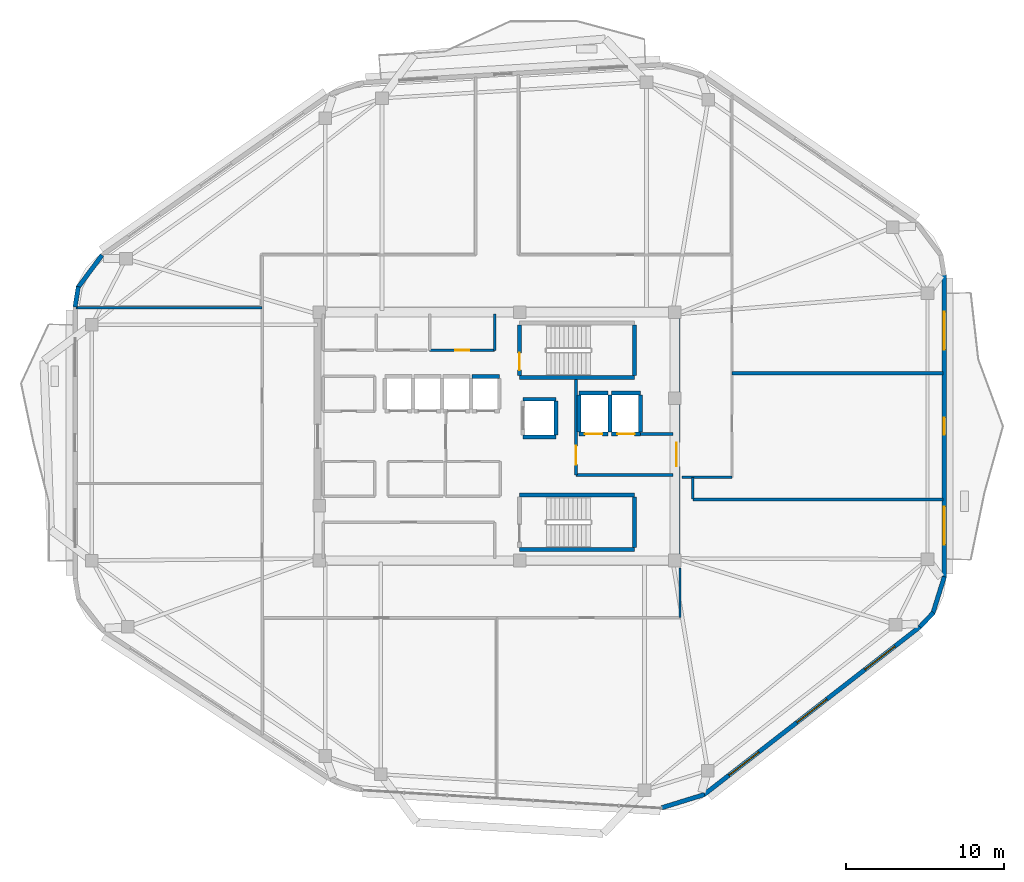
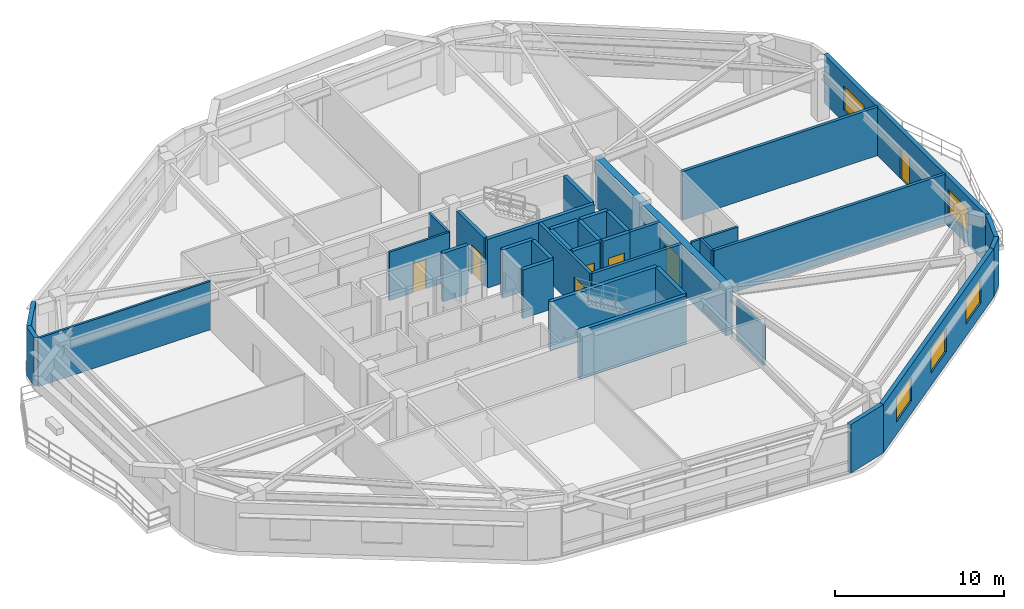
# One storey, part 8 of 12: 36 walls, 7 doors, 5 windows, 12 openings.
"""IFC4 building model written with IfcOpenShell, lengths in metres."""

from ifc_helpers import new_model, si_unit, direction, frame, frame_2d, origin, place, context, subcontext, project, spatial, rectangle, extrude, material, layer, layer_set, type_object, element, fill, save


model = new_model("IFC4")

# Units and contexts
model_context = context("Model", 3, precision=1e-05, world=origin(), true_north=direction((0.0, 1.0)))
body_context = subcontext(model_context, "Body", "Model", "MODEL_VIEW")
ifc_project = project(units=[si_unit("LENGTHUNIT", "METRE"), si_unit("AREAUNIT", "SQUARE_METRE"), si_unit("VOLUMEUNIT", "CUBIC_METRE"), si_unit("PLANEANGLEUNIT", "RADIAN"), si_unit("MASSUNIT", "GRAM", prefix="KILO")], contexts=[model_context])

# Site, building, storey
site_placement = place(None, origin())
site = spatial("IfcSite", under=ifc_project, at=site_placement, CompositionType="ELEMENT")
building_placement = place(site_placement, origin())
building = spatial("IfcBuilding", under=site, at=building_placement, Name="Zulverin Broadcast Headquarters", CompositionType="ELEMENT")
storey_placement = place(building_placement, frame((0.0, 0.0, 232.60009765625)))
storey = spatial("IfcBuildingStorey", under=building, at=storey_placement, Name="L59", CompositionType="ELEMENT", Elevation=232.60009765625)

# Walls
ifc_material_1 = material(Name="Acoustic drywall steel stud", Category="steel")
ifc_layer_1 = layer(ifc_material_1, 0.199951171875, Name="Acoustic drywall steel stud", Category="steel")
ifc_layer_set_1 = layer_set([ifc_layer_1], Name="Acoustic drywall steel stud")
wall_type_1 = type_object("IfcWallType", Name="WL-ACOU-200", PredefinedType="PARTITIONING", material=ifc_layer_set_1)
wall_1_placement = place(storey_placement, frame((49.43994140625, 21.199951171875, 0.0), z_axis=(0.0, 0.0, 1.0), x_axis=(1.0, 0.0, 0.0)))
element("IfcWall", 1, at=wall_1_placement, inside=storey, type_object=wall_type_1, Name="L59 Room Partition Wall RP-09", PredefinedType="PARTITIONING", context=body_context, shape_type="SweptSolid", body=[
    extrude(rectangle(XDim=15.85498046875, YDim=0.199951171875, at=frame_2d((7.927490234375, 0.0))), origin(), (0.0, 0.0, 1.0), 3.510009765625),
])
wall_2_placement = place(storey_placement, frame((51.89990234375, 29.199951171875, 0.0), z_axis=(0.0, 0.0, 1.0), x_axis=(1.0, 0.0, 0.0)))
element("IfcWall", 2, at=wall_2_placement, inside=storey, type_object=wall_type_1, Name="L59 Room Partition Wall RP-12", PredefinedType="PARTITIONING", context=body_context, shape_type="SweptSolid", body=[
    extrude(rectangle(XDim=13.39501953125, YDim=0.199951171875, at=frame_2d((6.697509765625, 0.0))), origin(), (0.0, 0.0, 1.0), 3.510009765625),
])

# Wall, opening, door
ifc_material_2 = material(Name="Concrete C50/60", Category="concrete")
ifc_layer_2 = layer(ifc_material_2, 0.449951171875, Name="Concrete C50/60", Category="concrete")
ifc_layer_set_2 = layer_set([ifc_layer_2], Name="Concrete C50/60")
wall_type_2 = type_object("IfcWallType", Name="WL-CORE-450", PredefinedType="SHEAR", material=ifc_layer_set_2)
wall_3_placement = place(storey_placement, frame((48.375, 17.449951171875, 0.0), z_axis=(0.0, 0.0, 1.0), x_axis=(0.0, 1.0, 0.0)))
wall_3 = element("IfcWall", 3, at=wall_3_placement, inside=storey, type_object=wall_type_2, Name="L59 Core East Shear Wall", PredefinedType="SHEAR", context=body_context, shape_type="SweptSolid", body=[
    extrude(rectangle(XDim=15.5, YDim=0.449951171875, at=frame_2d((7.75, 0.0))), origin(), (0.0, 0.0, 1.0), 3.510009765625),
])
opening_1_placement = place(wall_3_placement, frame((5.85009765625, 0.0, 0.0)))
opening_1 = element("IfcOpeningElement", 4, at=opening_1_placement, cuts=wall_3, Name="Opening D-L59-CE1", PredefinedType="OPENING", context=body_context, shape_type="SweptSolid", body=[
    extrude(rectangle(XDim=1.5, YDim=2.14990234375, at=frame_2d((0.75, 1.074951171875))), frame((0.0, 0.23486328125, 0.0), z_axis=(0.0, -1.0, 0.0), x_axis=(1.0, 0.0, 0.0)), (0.0, 0.0, 1.0), 0.469970703125),
])
ifc_material_3 = material(Name="Fire-rated glazed steel frame", Category="steel")
door_type_1 = type_object("IfcDoorType", Name="DR-COR-1500", OperationType="DOUBLE_DOOR_SINGLE_SWING", PredefinedType="DOOR", material=ifc_material_3)
door_1_placement = place(opening_1_placement, origin())
door_1 = element("IfcDoor", 5, at=door_1_placement, inside=storey, type_object=door_type_1, Name="L59 Firefighting Lobby East Corridor Door", OperationType="DOUBLE_DOOR_SINGLE_SWING", OverallHeight=2.14990234375, OverallWidth=1.5, PredefinedType="DOOR", context=body_context, shape_type="SweptSolid", body=[
    extrude(rectangle(XDim=1.5, YDim=2.14990234375, at=frame_2d((0.75, 1.074951171875))), frame((0.0, 0.02490234375, 0.0), z_axis=(0.0, -1.0, 0.0), x_axis=(1.0, 0.0, 0.0)), (0.0, 0.0, 1.0), 0.050048828125),
])
fill(opening_1, door_1)

# Wall, openings, windows
ifc_material_4 = material(Name="Insulated pale-metal clad concrete spandrel C40/50", Category="concrete")
ifc_layer_3 = layer(ifc_material_4, 0.280029296875, Name="Insulated pale-metal clad concrete spandrel C40/50", Category="concrete")
ifc_layer_set_3 = layer_set([ifc_layer_3], Name="Insulated pale-metal clad concrete spandrel C40/50")
wall_type_3 = type_object("IfcWallType", Name="WL-EXT-280", PredefinedType="STANDARD", material=ifc_layer_set_3)
wall_4_placement = place(storey_placement, frame((50.10400390625, 2.458984375, 0.0), z_axis=(0.0, 0.0, 1.0), x_axis=(0.789464857485, 0.613795763097, 0.0)))
wall_4 = element("IfcWall", 6, at=wall_4_placement, inside=storey, type_object=wall_type_3, Name="L59 Pale-Metal Clad Spandrel Wall 2", PredefinedType="STANDARD", context=body_context, shape_type="SweptSolid", body=[
    extrude(rectangle(XDim=17.387451171875, YDim=0.280029296875, at=frame_2d((8.69384765625, 0.0))), origin(), (0.0, 0.0, 1.0), 3.510009765625),
])
opening_2_placement = place(wall_4_placement, frame((2.03125, 0.0, 0.89990234375)))
opening_2 = element("IfcOpeningElement", 7, at=opening_2_placement, cuts=wall_4, Name="Opening W-L59-E21", PredefinedType="OPENING", context=body_context, shape_type="SweptSolid", body=[
    extrude(rectangle(XDim=2.39990234375, YDim=1.75, at=frame_2d((1.199951171875, 0.875))), frame((0.0, 0.14990234375, 0.0), z_axis=(0.0, -1.0, 0.0), x_axis=(1.0, 0.0, 0.0)), (0.0, 0.0, 1.0), 0.300048828125),
])
opening_3_placement = place(wall_4_placement, frame((7.49365234375, 0.0, 0.89990234375)))
opening_3 = element("IfcOpeningElement", 8, at=opening_3_placement, cuts=wall_4, Name="Opening W-L59-E22", PredefinedType="OPENING", context=body_context, shape_type="SweptSolid", body=[
    extrude(rectangle(XDim=2.39990234375, YDim=1.75, at=frame_2d((1.199951171875, 0.875))), frame((0.0, 0.14990234375, 0.0), z_axis=(0.0, -1.0, 0.0), x_axis=(1.0, 0.0, 0.0)), (0.0, 0.0, 1.0), 0.300048828125),
])
opening_4_placement = place(wall_4_placement, frame((12.956298828125, 0.0, 0.89990234375)))
opening_4 = element("IfcOpeningElement", 9, at=opening_4_placement, cuts=wall_4, Name="Opening W-L59-E23", PredefinedType="OPENING", context=body_context, shape_type="SweptSolid", body=[
    extrude(rectangle(XDim=2.39990234375, YDim=1.75, at=frame_2d((1.199951171875, 0.875))), frame((0.0, 0.14990234375, 0.0), z_axis=(0.0, -1.0, 0.0), x_axis=(1.0, 0.0, 0.0)), (0.0, 0.0, 1.0), 0.300048828125),
])
ifc_material_5 = material(Name="Pale anodized aluminium frame with solar-control low-E double glazing", Category="aluminium")
window_type = type_object("IfcWindowType", Name="WIN-RIB-2400", PartitioningType="SINGLE_PANEL", PredefinedType="WINDOW", material=ifc_material_5)
window_1_placement = place(opening_2_placement, origin())
window_1 = element("IfcWindow", 10, at=window_1_placement, inside=storey, type_object=window_type, Name="L59 Ribbon Glazing Window 2 1", OverallHeight=1.75, OverallWidth=2.39990234375, PartitioningType="SINGLE_PANEL", PredefinedType="WINDOW", context=body_context, shape_type="SweptSolid", body=[
    extrude(rectangle(XDim=2.39990234375, YDim=1.75, at=frame_2d((1.199951171875, 0.875))), frame((0.0, 0.030029296875, 0.0), z_axis=(0.0, -1.0, 0.0), x_axis=(1.0, 0.0, 0.0)), (0.0, 0.0, 1.0), 0.06005859375),
])
fill(opening_2, window_1)
window_2_placement = place(opening_3_placement, origin())
window_2 = element("IfcWindow", 11, at=window_2_placement, inside=storey, type_object=window_type, Name="L59 Ribbon Glazing Window 2 2", OverallHeight=1.75, OverallWidth=2.39990234375, PartitioningType="SINGLE_PANEL", PredefinedType="WINDOW", context=body_context, shape_type="SweptSolid", body=[
    extrude(rectangle(XDim=2.39990234375, YDim=1.75, at=frame_2d((1.199951171875, 0.875))), frame((0.0, 0.030029296875, 0.0), z_axis=(0.0, -1.0, 0.0), x_axis=(1.0, 0.0, 0.0)), (0.0, 0.0, 1.0), 0.06005859375),
])
fill(opening_3, window_2)
window_3_placement = place(opening_4_placement, origin())
window_3 = element("IfcWindow", 12, at=window_3_placement, inside=storey, type_object=window_type, Name="L59 Ribbon Glazing Window 2 3", OverallHeight=1.75, OverallWidth=2.39990234375, PartitioningType="SINGLE_PANEL", PredefinedType="WINDOW", context=body_context, shape_type="SweptSolid", body=[
    extrude(rectangle(XDim=2.39990234375, YDim=1.75, at=frame_2d((1.199951171875, 0.875))), frame((0.0, 0.030029296875, 0.0), z_axis=(0.0, -1.0, 0.0), x_axis=(1.0, 0.0, 0.0)), (0.0, 0.0, 1.0), 0.06005859375),
])
fill(opening_4, window_3)

# Wall, openings, door, windows
wall_5_placement = place(storey_placement, frame((65.360107421875, 16.2578125, 0.0), z_axis=(0.0, 0.0, 1.0), x_axis=(0.0, 1.0, 0.0)))
wall_5 = element("IfcWall", 13, at=wall_5_placement, inside=storey, type_object=wall_type_3, Name="L59 Pale-Metal Clad Spandrel Wall 3", PredefinedType="STANDARD", context=body_context, shape_type="SweptSolid", body=[
    extrude(rectangle(XDim=19.16796875, YDim=0.280029296875, at=frame_2d((9.583984375, 0.0))), origin(), (0.0, 0.0, 1.0), 3.510009765625),
])
opening_5_placement = place(wall_5_placement, frame((9.033935546875, 0.0, 0.0)))
opening_5 = element("IfcOpeningElement", 14, at=opening_5_placement, cuts=wall_5, Name="Opening D-L59-TR3", PredefinedType="OPENING", context=body_context, shape_type="SweptSolid", body=[
    extrude(rectangle(XDim=1.10009765625, YDim=2.199951171875, at=frame_2d((0.550048828125, 1.10009765625))), frame((0.0, 0.14990234375, 0.0), z_axis=(0.0, -1.0, 0.0), x_axis=(1.0, 0.0, 0.0)), (0.0, 0.0, 1.0), 0.300048828125),
])
opening_6_placement = place(wall_5_placement, frame((2.077880859375, 0.0, 0.89990234375)))
opening_6 = element("IfcOpeningElement", 15, at=opening_6_placement, cuts=wall_5, Name="Opening W-L59-E31", PredefinedType="OPENING", context=body_context, shape_type="SweptSolid", body=[
    extrude(rectangle(XDim=2.39990234375, YDim=1.75, at=frame_2d((1.199951171875, 0.875))), frame((0.0, 0.14990234375, 0.0), z_axis=(0.0, -1.0, 0.0), x_axis=(1.0, 0.0, 0.0)), (0.0, 0.0, 1.0), 0.300048828125),
])
opening_7_placement = place(wall_5_placement, frame((14.43994140625, 0.0, 0.89990234375)))
opening_7 = element("IfcOpeningElement", 16, at=opening_7_placement, cuts=wall_5, Name="Opening W-L59-E32", PredefinedType="OPENING", context=body_context, shape_type="SweptSolid", body=[
    extrude(rectangle(XDim=2.39990234375, YDim=1.75, at=frame_2d((1.199951171875, 0.875))), frame((0.0, 0.14990234375, 0.0), z_axis=(0.0, -1.0, 0.0), x_axis=(1.0, 0.0, 0.0)), (0.0, 0.0, 1.0), 0.300048828125),
])
ifc_material_6 = material(Name="Thermally broken aluminium glazed", Category="aluminium")
door_type_2 = type_object("IfcDoorType", Name="DR-TERR-1100", OperationType="SINGLE_SWING_RIGHT", PredefinedType="DOOR", material=ifc_material_6)
door_2_placement = place(opening_5_placement, origin())
door_2 = element("IfcDoor", 17, at=door_2_placement, inside=storey, type_object=door_type_2, Name="L59 Planted Terrace Glazed Access Door 3", OperationType="SINGLE_SWING_RIGHT", OverallHeight=2.199951171875, OverallWidth=1.10009765625, PredefinedType="DOOR", context=body_context, shape_type="SweptSolid", body=[
    extrude(rectangle(XDim=1.10009765625, YDim=2.199951171875, at=frame_2d((0.550048828125, 1.10009765625))), frame((0.0, 0.02490234375, 0.0), z_axis=(0.0, -1.0, 0.0), x_axis=(1.0, 0.0, 0.0)), (0.0, 0.0, 1.0), 0.050048828125),
])
fill(opening_5, door_2)
window_4_placement = place(opening_6_placement, origin())
window_4 = element("IfcWindow", 18, at=window_4_placement, inside=storey, type_object=window_type, Name="L59 Ribbon Glazing Window 3 1", OverallHeight=1.75, OverallWidth=2.39990234375, PartitioningType="SINGLE_PANEL", PredefinedType="WINDOW", context=body_context, shape_type="SweptSolid", body=[
    extrude(rectangle(XDim=2.39990234375, YDim=1.75, at=frame_2d((1.199951171875, 0.875))), frame((0.0, 0.030029296875, 0.0), z_axis=(0.0, -1.0, 0.0), x_axis=(1.0, 0.0, 0.0)), (0.0, 0.0, 1.0), 0.06005859375),
])
fill(opening_6, window_4)
window_5_placement = place(opening_7_placement, origin())
window_5 = element("IfcWindow", 19, at=window_5_placement, inside=storey, type_object=window_type, Name="L59 Ribbon Glazing Window 3 2", OverallHeight=1.75, OverallWidth=2.39990234375, PartitioningType="SINGLE_PANEL", PredefinedType="WINDOW", context=body_context, shape_type="SweptSolid", body=[
    extrude(rectangle(XDim=2.39990234375, YDim=1.75, at=frame_2d((1.199951171875, 0.875))), frame((0.0, 0.030029296875, 0.0), z_axis=(0.0, -1.0, 0.0), x_axis=(1.0, 0.0, 0.0)), (0.0, 0.0, 1.0), 0.06005859375),
])
fill(opening_7, window_5)

# Walls
wall_6_placement = place(storey_placement, frame((47.4482421875, 1.6455078125, 0.0), z_axis=(0.0, 0.0, 1.0), x_axis=(0.955196399159, 0.295972699812, 0.0)))
element("IfcWall", 20, at=wall_6_placement, inside=storey, type_object=wall_type_3, Name="L59 Wind-Shaped Corner Spandrel Wall 1-1", PredefinedType="STANDARD", context=body_context, shape_type="SweptSolid", body=[
    extrude(rectangle(XDim=2.826904296875, YDim=0.280029296875, at=frame_2d((1.41357421875, 0.0))), origin(), (0.0, 0.0, 1.0), 3.510009765625),
])
wall_7_placement = place(storey_placement, frame((63.81494140625, 13.1171875, 0.0), z_axis=(0.0, 0.0, 1.0), x_axis=(0.687733716128, 0.725963040176, 0.0)))
element("IfcWall", 21, at=wall_7_placement, inside=storey, type_object=wall_type_3, Name="L59 Wind-Shaped Corner Spandrel Wall 2-1", PredefinedType="STANDARD", context=body_context, shape_type="SweptSolid", body=[
    extrude(rectangle(XDim=1.239013671875, YDim=0.280029296875, at=frame_2d((0.61962890625, 0.0))), origin(), (0.0, 0.0, 1.0), 3.510009765625),
])
wall_8_placement = place(storey_placement, frame((64.635009765625, 13.962158203125, 0.0), z_axis=(0.0, 0.0, 1.0), x_axis=(0.298649578722, 0.954362839348, 0.0)))
element("IfcWall", 22, at=wall_8_placement, inside=storey, type_object=wall_type_3, Name="L59 Wind-Shaped Corner Spandrel Wall 2-2", PredefinedType="STANDARD", context=body_context, shape_type="SweptSolid", body=[
    extrude(rectangle(XDim=2.44921875, YDim=0.280029296875, at=frame_2d((1.224609375, 0.0))), origin(), (0.0, 0.0, 1.0), 3.510009765625),
])
wall_9_placement = place(storey_placement, frame((11.948486328125, 36.69189453125, 0.0), z_axis=(0.0, 0.0, 1.0), x_axis=(-0.595170751493, -0.803599263668, 0.0)))
element("IfcWall", 23, at=wall_9_placement, inside=storey, type_object=wall_type_3, Name="L59 Wind-Shaped Corner Spandrel Wall 6-1", PredefinedType="STANDARD", context=body_context, shape_type="SweptSolid", body=[
    extrude(rectangle(XDim=2.56982421875, YDim=0.280029296875, at=frame_2d((1.284912109375, 0.0))), origin(), (0.0, 0.0, 1.0), 3.510009765625),
])
wall_10_placement = place(storey_placement, frame((10.444580078125, 34.68798828125, 0.0), z_axis=(0.0, 0.0, 1.0), x_axis=(-0.158524605336, -0.987355027081, 0.0)))
element("IfcWall", 24, at=wall_10_placement, inside=storey, type_object=wall_type_3, Name="L59 Wind-Shaped Corner Spandrel Wall 6-2", PredefinedType="STANDARD", context=body_context, shape_type="SweptSolid", body=[
    extrude(rectangle(XDim=1.30126953125, YDim=0.280029296875, at=frame_2d((0.650634765625, 0.0))), origin(), (0.0, 0.0, 1.0), 3.510009765625),
])

# Wall, opening, door
ifc_material_7 = material(Name="Concrete C40/50", Category="concrete")
ifc_layer_4 = layer(ifc_material_7, 0.199951171875, Name="Concrete C40/50", Category="concrete")
ifc_layer_set_4 = layer_set([ifc_layer_4], Name="Concrete C40/50")
wall_type_4 = type_object("IfcWallType", Name="WL-FFL-200", PredefinedType="SOLIDWALL", material=ifc_layer_set_4)
wall_11_placement = place(storey_placement, frame((42.0, 22.75, 0.0), z_axis=(0.0, 0.0, 1.0), x_axis=(0.0, 1.0, 0.0)))
wall_11 = element("IfcWall", 25, at=wall_11_placement, inside=storey, type_object=wall_type_4, Name="L59 Firefighting Lift Lobby West Wall", PredefinedType="SOLIDWALL", context=body_context, shape_type="SweptSolid", body=[
    extrude(rectangle(XDim=6.050048828125, YDim=0.199951171875, at=frame_2d((3.02490234375, 0.0))), origin(), (0.0, 0.0, 1.0), 3.510009765625),
])
opening_8_placement = place(wall_11_placement, frame((0.64990234375, 0.0, 0.0)))
opening_8 = element("IfcOpeningElement", 26, at=opening_8_placement, cuts=wall_11, Name="Opening D-L59-FFLW", PredefinedType="OPENING", context=body_context, shape_type="SweptSolid", body=[
    extrude(rectangle(XDim=1.199951171875, YDim=2.14990234375, at=frame_2d((0.60009765625, 1.074951171875))), frame((0.0, 0.10986328125, 0.0), z_axis=(0.0, -1.0, 0.0), x_axis=(1.0, 0.0, 0.0)), (0.0, 0.0, 1.0), 0.219970703125),
])
ifc_material_8 = material(Name="Fire-rated steel leaf and frame", Category="steel")
door_type_3 = type_object("IfcDoorType", Name="DR-FFL-1200", OperationType="SINGLE_SWING_RIGHT", PredefinedType="DOOR", material=ifc_material_8)
door_3_placement = place(opening_8_placement, origin())
door_3 = element("IfcDoor", 27, at=door_3_placement, inside=storey, type_object=door_type_3, Name="L59 Firefighting Lift Lobby Door", OperationType="SINGLE_SWING_RIGHT", OverallHeight=2.14990234375, OverallWidth=1.199951171875, PredefinedType="DOOR", context=body_context, shape_type="SweptSolid", body=[
    extrude(rectangle(XDim=1.199951171875, YDim=2.14990234375, at=frame_2d((0.60009765625, 1.074951171875))), frame((0.0, 0.02490234375, 0.0), z_axis=(0.0, -1.0, 0.0), x_axis=(1.0, 0.0, 0.0)), (0.0, 0.0, 1.0), 0.050048828125),
])
fill(opening_8, door_3)

# Walls
wall_12_placement = place(storey_placement, frame((42.0, 22.75, 0.0), z_axis=(0.0, 0.0, 1.0), x_axis=(1.0, 0.0, 0.0)))
element("IfcWall", 28, at=wall_12_placement, inside=storey, type_object=wall_type_4, Name="L59 Firefighting Lift Lobby South Wall", PredefinedType="SOLIDWALL", context=body_context, shape_type="SweptSolid", body=[
    extrude(rectangle(XDim=6.14990234375, YDim=0.199951171875, at=frame_2d((3.074951171875, 0.0))), origin(), (0.0, 0.0, 1.0), 3.510009765625),
])
wall_13_placement = place(storey_placement, frame((46.10009765625, 25.35009765625, 0.0), z_axis=(0.0, 0.0, 1.0), x_axis=(1.0, 0.0, 0.0)))
element("IfcWall", 29, at=wall_13_placement, inside=storey, type_object=wall_type_4, Name="L59 Firefighting Lift Lobby North Wall", PredefinedType="SOLIDWALL", context=body_context, shape_type="SweptSolid", body=[
    extrude(rectangle(XDim=2.0498046875, YDim=0.199951171875, at=frame_2d((1.02490234375, 0.0))), origin(), (0.0, 0.0, 1.0), 3.510009765625),
])

# Wall, opening, door
ifc_material_9 = material(Name="Fire-rated gypsum stud partition", Category="gypsum")
ifc_layer_5 = layer(ifc_material_9, 0.14990234375, Name="Fire-rated gypsum stud partition", Category="gypsum")
ifc_layer_set_5 = layer_set([ifc_layer_5], Name="Fire-rated gypsum stud partition")
wall_type_5 = type_object("IfcWallType", Name="WL-PART-150", PredefinedType="PARTITIONING", material=ifc_layer_set_5)
wall_14_placement = place(storey_placement, frame((32.72998046875, 30.64990234375, 0.0), z_axis=(0.0, 0.0, 1.0), x_axis=(1.0, 0.0, 0.0)))
wall_14 = element("IfcWall", 30, at=wall_14_placement, inside=storey, type_object=wall_type_5, Name="L59 Core Electrical Switch Riser Front Wall", PredefinedType="PARTITIONING", context=body_context, shape_type="SweptSolid", body=[
    extrude(rectangle(XDim=4.1201171875, YDim=0.14990234375, at=frame_2d((2.06005859375, 0.0))), origin(), (0.0, 0.0, 1.0), 3.510009765625),
])
opening_9_placement = place(wall_14_placement, frame((1.610107421875, 0.0, 0.0)))
opening_9 = element("IfcOpeningElement", 31, at=opening_9_placement, cuts=wall_14, Name="Opening D-L59-NC3", PredefinedType="OPENING", context=body_context, shape_type="SweptSolid", body=[
    extrude(rectangle(XDim=0.89990234375, YDim=2.10009765625, at=frame_2d((0.449951171875, 1.050048828125))), frame((0.0, 0.0849609375, 0.0), z_axis=(0.0, -1.0, 0.0), x_axis=(1.0, 0.0, 0.0)), (0.0, 0.0, 1.0), 0.169921875),
])
ifc_material_10 = material(Name="Powder-coated steel access leaf", Category="steel")
door_type_4 = type_object("IfcDoorType", Name="DR-RISER-900", OperationType="SINGLE_SWING_LEFT", PredefinedType="DOOR", material=ifc_material_10)
door_4_placement = place(opening_9_placement, origin())
door_4 = element("IfcDoor", 32, at=door_4_placement, inside=storey, type_object=door_type_4, Name="L59 Electrical Switch Riser Door", OperationType="SINGLE_SWING_LEFT", OverallHeight=2.10009765625, OverallWidth=0.89990234375, PredefinedType="DOOR", context=body_context, shape_type="SweptSolid", body=[
    extrude(rectangle(XDim=0.89990234375, YDim=2.10009765625, at=frame_2d((0.449951171875, 1.050048828125))), frame((0.0, 0.02490234375, 0.0), z_axis=(0.0, -1.0, 0.0), x_axis=(1.0, 0.0, 0.0)), (0.0, 0.0, 1.0), 0.050048828125),
])
fill(opening_9, door_4)

# Walls
wall_15_placement = place(storey_placement, frame((36.85009765625, 30.64990234375, 0.0), z_axis=(0.0, 0.0, 1.0), x_axis=(0.0, 1.0, 0.0)))
element("IfcWall", 33, at=wall_15_placement, inside=storey, type_object=wall_type_5, Name="L59 Core Electrical Switch Riser East Wall", PredefinedType="PARTITIONING", context=body_context, shape_type="SweptSolid", body=[
    extrude(rectangle(XDim=2.300048828125, YDim=0.14990234375, at=frame_2d((1.14990234375, 0.0))), origin(), (0.0, 0.0, 1.0), 3.510009765625),
])
wall_16_placement = place(storey_placement, frame((49.39990234375, 21.239990234375, 0.0), z_axis=(0.0, 0.0, 1.0), x_axis=(0.0, 1.0, 0.0)))
element("IfcWall", 34, at=wall_16_placement, inside=storey, type_object=wall_type_5, Name="L59 Room Partition Wall RP-02", PredefinedType="PARTITIONING", context=body_context, shape_type="SweptSolid", body=[
    extrude(rectangle(XDim=1.359130859375, YDim=0.14990234375, at=frame_2d((0.6796875, 0.0))), origin(), (0.0, 0.0, 1.0), 3.510009765625),
])
wall_17_placement = place(storey_placement, frame((48.60009765625, 13.699951171875, 0.0), z_axis=(0.0, 0.0, 1.0), x_axis=(0.0, 1.0, 0.0)))
element("IfcWall", 35, at=wall_17_placement, inside=storey, type_object=wall_type_5, Name="L59 Gallery Partition Wall CG-03", PredefinedType="PARTITIONING", context=body_context, shape_type="SweptSolid", body=[
    extrude(rectangle(XDim=3.16015625, YDim=0.14990234375, at=frame_2d((1.580078125, 0.0))), origin(), (0.0, 0.0, 1.0), 2.892822265625),
])
wall_18_placement = place(storey_placement, frame((48.739990234375, 22.60009765625, 0.0), z_axis=(0.0, 0.0, 1.0), x_axis=(1.0, 0.0, 0.0)))
element("IfcWall", 36, at=wall_18_placement, inside=storey, type_object=wall_type_5, Name="L59 Gallery Partition Wall CG-11", PredefinedType="PARTITIONING", context=body_context, shape_type="SweptSolid", body=[
    extrude(rectangle(XDim=3.159912109375, YDim=0.14990234375, at=frame_2d((1.580078125, 0.0))), origin(), (0.0, 0.0, 1.0), 3.510009765625),
])
wall_19_placement = place(storey_placement, frame((10.304931640625, 33.35009765625, 0.0), z_axis=(0.0, 0.0, 1.0), x_axis=(1.0, 0.0, 0.0)))
element("IfcWall", 37, at=wall_19_placement, inside=storey, type_object=wall_type_5, Name="L59 Room Partition Wall RP-13", PredefinedType="PARTITIONING", context=body_context, shape_type="SweptSolid", body=[
    extrude(rectangle(XDim=11.795166015625, YDim=0.14990234375, at=frame_2d((5.8974609375, 0.0))), origin(), (0.0, 0.0, 1.0), 3.510009765625),
])
ifc_layer_6 = layer(ifc_material_2, 0.25, Name="Concrete C50/60", Category="concrete")
ifc_layer_set_6 = layer_set([ifc_layer_6], Name="Concrete C50/60")
wall_type_6 = type_object("IfcWallType", Name="WL-SHAFT-250", PredefinedType="SHEAR", material=ifc_layer_set_6)
wall_20_placement = place(storey_placement, frame((38.425048828125, 28.925048828125, 0.0), z_axis=(0.0, 0.0, 1.0), x_axis=(1.0, 0.0, 0.0)))
element("IfcWall", 38, at=wall_20_placement, inside=storey, type_object=wall_type_6, Name="L59 ST-1 Enclosure Wall S", PredefinedType="SHEAR", context=body_context, shape_type="SweptSolid", body=[
    extrude(rectangle(XDim=7.300048828125, YDim=0.25, at=frame_2d((3.64990234375, 0.0))), origin(), (0.0, 0.0, 1.0), 3.510009765625),
])

# Wall, opening, door
wall_21_placement = place(storey_placement, frame((38.425048828125, 29.050048828125, 0.0), z_axis=(0.0, 0.0, 1.0), x_axis=(0.0, 1.0, 0.0)))
wall_21 = element("IfcWall", 39, at=wall_21_placement, inside=storey, type_object=wall_type_6, Name="L59 ST-1 Enclosure Wall W", PredefinedType="SHEAR", context=body_context, shape_type="SweptSolid", body=[
    extrude(rectangle(XDim=3.199951171875, YDim=0.25, at=frame_2d((1.60009765625, 0.0))), origin(), (0.0, 0.0, 1.0), 3.510009765625),
])
opening_10_placement = place(wall_21_placement, frame((0.35009765625, 0.0, 0.0)))
opening_10 = element("IfcOpeningElement", 40, at=opening_10_placement, cuts=wall_21, Name="Opening D-L59-ST-1", PredefinedType="OPENING", context=body_context, shape_type="SweptSolid", body=[
    extrude(rectangle(XDim=1.10009765625, YDim=2.14990234375, at=frame_2d((0.550048828125, 1.074951171875))), frame((0.0, 0.135009765625, 0.0), z_axis=(0.0, -1.0, 0.0), x_axis=(1.0, 0.0, 0.0)), (0.0, 0.0, 1.0), 0.27001953125),
])
door_type_5 = type_object("IfcDoorType", Name="DR-STAIR-1100", OperationType="SINGLE_SWING_LEFT", PredefinedType="DOOR", material=ifc_material_8)
door_5_placement = place(opening_10_placement, origin())
door_5 = element("IfcDoor", 41, at=door_5_placement, inside=storey, type_object=door_type_5, Name="L59 Exit Stair ST-1 Fire Door", OperationType="SINGLE_SWING_LEFT", OverallHeight=2.14990234375, OverallWidth=1.10009765625, PredefinedType="DOOR", context=body_context, shape_type="SweptSolid", body=[
    extrude(rectangle(XDim=1.10009765625, YDim=2.14990234375, at=frame_2d((0.550048828125, 1.074951171875))), frame((0.0, 0.02490234375, 0.0), z_axis=(0.0, -1.0, 0.0), x_axis=(1.0, 0.0, 0.0)), (0.0, 0.0, 1.0), 0.050048828125),
])
fill(opening_10, door_5)

# Walls
wall_22_placement = place(storey_placement, frame((45.72509765625, 29.050048828125, 0.0), z_axis=(0.0, 0.0, 1.0), x_axis=(0.0, 1.0, 0.0)))
element("IfcWall", 42, at=wall_22_placement, inside=storey, type_object=wall_type_6, Name="L59 ST-1 Enclosure Wall E", PredefinedType="SHEAR", context=body_context, shape_type="SweptSolid", body=[
    extrude(rectangle(XDim=3.199951171875, YDim=0.25, at=frame_2d((1.60009765625, 0.0))), origin(), (0.0, 0.0, 1.0), 3.510009765625),
])
for number, where, z_axis, x_axis, name in (
    (43, (38.425048828125, 18.02490234375, 0.0), (0.0, 0.0, 1.0), (1.0, 0.0, 0.0), "L59 ST-2 Enclosure Wall S"),
    (44, (38.425048828125, 21.47509765625, 0.0), (0.0, 0.0, 1.0), (1.0, 0.0, 0.0), "L59 ST-2 Enclosure Wall N"),
):
    element("IfcWall", number, at=place(storey_placement, frame(where, z_axis=z_axis, x_axis=x_axis)), inside=storey, type_object=wall_type_6, Name=name, PredefinedType="SHEAR", context=body_context, shape_type="SweptSolid", body=[
        extrude(rectangle(XDim=7.300048828125, YDim=0.25, at=frame_2d((3.64990234375, 0.0))), origin(), (0.0, 0.0, 1.0), 3.510009765625),
    ])
wall_23_placement = place(storey_placement, frame((45.72509765625, 18.14990234375, 0.0), z_axis=(0.0, 0.0, 1.0), x_axis=(0.0, 1.0, 0.0)))
element("IfcWall", 45, at=wall_23_placement, inside=storey, type_object=wall_type_6, Name="L59 ST-2 Enclosure Wall E", PredefinedType="SHEAR", context=body_context, shape_type="SweptSolid", body=[
    extrude(rectangle(XDim=3.2001953125, YDim=0.25, at=frame_2d((1.60009765625, 0.0))), origin(), (0.0, 0.0, 1.0), 3.510009765625),
])
wall_24_placement = place(storey_placement, frame((35.419921875, 29.0, 0.0), z_axis=(0.0, 0.0, 1.0), x_axis=(1.0, 0.0, 0.0)))
element("IfcWall", 46, at=wall_24_placement, inside=storey, type_object=wall_type_6, Name="L59 Lift PL-H4 Shaft Wall N", PredefinedType="SHEAR", context=body_context, shape_type="SweptSolid", body=[
    extrude(rectangle(XDim=1.719970703125, YDim=0.25, at=frame_2d((0.85986328125, 0.0))), origin(), (0.0, 0.0, 1.0), 3.510009765625),
])

# Wall, opening, door
wall_25_placement = place(storey_placement, frame((42.199951171875, 25.35009765625, 0.0), z_axis=(0.0, 0.0, 1.0), x_axis=(1.0, 0.0, 0.0)))
wall_25 = element("IfcWall", 47, at=wall_25_placement, inside=storey, type_object=wall_type_6, Name="L59 Lift FFL-1 Shaft Wall S", PredefinedType="SHEAR", context=body_context, shape_type="SweptSolid", body=[
    extrude(rectangle(XDim=1.85009765625, YDim=0.25, at=frame_2d((0.925048828125, 0.0))), origin(), (0.0, 0.0, 1.0), 3.510009765625),
])
opening_11_placement = place(wall_25_placement, frame((0.375, 0.0, 0.0)))
opening_11 = element("IfcOpeningElement", 48, at=opening_11_placement, cuts=wall_25, Name="Opening LD-FFL-1-L59", PredefinedType="OPENING", context=body_context, shape_type="SweptSolid", body=[
    extrude(rectangle(XDim=1.10009765625, YDim=2.14990234375, at=frame_2d((0.550048828125, 1.074951171875))), frame((0.0, 0.135009765625, 0.0), z_axis=(0.0, -1.0, 0.0), x_axis=(1.0, 0.0, 0.0)), (0.0, 0.0, 1.0), 0.27001953125),
])
ifc_material_11 = material(Name="Fire-rated stainless landing door", Category="steel")
door_type_6 = type_object("IfcDoorType", Name="LD-FFL-1100", OperationType="DOUBLE_DOOR_SLIDING", PredefinedType="DOOR", material=ifc_material_11)
door_6_placement = place(opening_11_placement, origin())
door_6 = element("IfcDoor", 49, at=door_6_placement, inside=storey, type_object=door_type_6, Name="L59 Lift FFL-1 Sliding Landing Door", OperationType="DOUBLE_DOOR_SLIDING", OverallHeight=2.14990234375, OverallWidth=1.10009765625, PredefinedType="DOOR", context=body_context, shape_type="SweptSolid", body=[
    extrude(rectangle(XDim=1.10009765625, YDim=2.14990234375, at=frame_2d((0.550048828125, 1.074951171875))), frame((0.0, 0.02490234375, 0.0), z_axis=(0.0, -1.0, 0.0), x_axis=(1.0, 0.0, 0.0)), (0.0, 0.0, 1.0), 0.050048828125),
])
fill(opening_11, door_6)

# Walls
wall_26_placement = place(storey_placement, frame((42.199951171875, 27.949951171875, 0.0), z_axis=(0.0, 0.0, 1.0), x_axis=(1.0, 0.0, 0.0)))
element("IfcWall", 50, at=wall_26_placement, inside=storey, type_object=wall_type_6, Name="L59 Lift FFL-1 Shaft Wall N", PredefinedType="SHEAR", context=body_context, shape_type="SweptSolid", body=[
    extrude(rectangle(XDim=1.85009765625, YDim=0.25, at=frame_2d((0.925048828125, 0.0))), origin(), (0.0, 0.0, 1.0), 3.510009765625),
])
for number, where, z_axis, x_axis, name in (
    (51, (42.199951171875, 25.469970703125, 0.0), (0.0, 0.0, 1.0), (0.0, 1.0, 0.0), "L59 Lift FFL-1 Shaft Wall W"),
    (52, (44.14990234375, 25.469970703125, 0.0), (0.0, 0.0, 1.0), (0.0, 1.0, 0.0), "L59 Lift FFL-1 Shaft Wall E"),
):
    element("IfcWall", number, at=place(storey_placement, frame(where, z_axis=z_axis, x_axis=x_axis)), inside=storey, type_object=wall_type_6, Name=name, PredefinedType="SHEAR", context=body_context, shape_type="SweptSolid", body=[
        extrude(rectangle(XDim=2.360107421875, YDim=0.25, at=frame_2d((1.18017578125, 0.0))), origin(), (0.0, 0.0, 1.0), 3.510009765625),
    ])

# Wall, opening, door
wall_27_placement = place(storey_placement, frame((44.25, 25.35009765625, 0.0), z_axis=(0.0, 0.0, 1.0), x_axis=(1.0, 0.0, 0.0)))
wall_27 = element("IfcWall", 53, at=wall_27_placement, inside=storey, type_object=wall_type_6, Name="L59 Lift FFL-2 Shaft Wall S", PredefinedType="SHEAR", context=body_context, shape_type="SweptSolid", body=[
    extrude(rectangle(XDim=1.85009765625, YDim=0.25, at=frame_2d((0.925048828125, 0.0))), origin(), (0.0, 0.0, 1.0), 3.510009765625),
])
opening_12_placement = place(wall_27_placement, frame((0.375, 0.0, 0.0)))
opening_12 = element("IfcOpeningElement", 54, at=opening_12_placement, cuts=wall_27, Name="Opening LD-FFL-2-L59", PredefinedType="OPENING", context=body_context, shape_type="SweptSolid", body=[
    extrude(rectangle(XDim=1.10009765625, YDim=2.14990234375, at=frame_2d((0.550048828125, 1.074951171875))), frame((0.0, 0.135009765625, 0.0), z_axis=(0.0, -1.0, 0.0), x_axis=(1.0, 0.0, 0.0)), (0.0, 0.0, 1.0), 0.27001953125),
])
door_7_placement = place(opening_12_placement, origin())
door_7 = element("IfcDoor", 55, at=door_7_placement, inside=storey, type_object=door_type_6, Name="L59 Lift FFL-2 Sliding Landing Door", OperationType="DOUBLE_DOOR_SLIDING", OverallHeight=2.14990234375, OverallWidth=1.10009765625, PredefinedType="DOOR", context=body_context, shape_type="SweptSolid", body=[
    extrude(rectangle(XDim=1.10009765625, YDim=2.14990234375, at=frame_2d((0.550048828125, 1.074951171875))), frame((0.0, 0.02490234375, 0.0), z_axis=(0.0, -1.0, 0.0), x_axis=(1.0, 0.0, 0.0)), (0.0, 0.0, 1.0), 0.050048828125),
])
fill(opening_12, door_7)

# Walls
wall_28_placement = place(storey_placement, frame((44.25, 27.949951171875, 0.0), z_axis=(0.0, 0.0, 1.0), x_axis=(1.0, 0.0, 0.0)))
element("IfcWall", 56, at=wall_28_placement, inside=storey, type_object=wall_type_6, Name="L59 Lift FFL-2 Shaft Wall N", PredefinedType="SHEAR", context=body_context, shape_type="SweptSolid", body=[
    extrude(rectangle(XDim=1.85009765625, YDim=0.25, at=frame_2d((0.925048828125, 0.0))), origin(), (0.0, 0.0, 1.0), 3.510009765625),
])
wall_29_placement = place(storey_placement, frame((46.10009765625, 25.469970703125, 0.0), z_axis=(0.0, 0.0, 1.0), x_axis=(0.0, 1.0, 0.0)))
element("IfcWall", 57, at=wall_29_placement, inside=storey, type_object=wall_type_6, Name="L59 Lift FFL-2 Shaft Wall E", PredefinedType="SHEAR", context=body_context, shape_type="SweptSolid", body=[
    extrude(rectangle(XDim=2.360107421875, YDim=0.25, at=frame_2d((1.18017578125, 0.0))), origin(), (0.0, 0.0, 1.0), 3.510009765625),
])
for number, where, z_axis, x_axis, name in (
    (58, (38.64990234375, 25.14990234375, 0.0), (0.0, 0.0, 1.0), (1.0, 0.0, 0.0), "L59 Lift SVL-1 Shaft Wall S"),
    (59, (38.64990234375, 27.550048828125, 0.0), (0.0, 0.0, 1.0), (1.0, 0.0, 0.0), "L59 Lift SVL-1 Shaft Wall N"),
):
    element("IfcWall", number, at=place(storey_placement, frame(where, z_axis=z_axis, x_axis=x_axis)), inside=storey, type_object=wall_type_6, Name=name, PredefinedType="SHEAR", context=body_context, shape_type="SweptSolid", body=[
        extrude(rectangle(XDim=2.10009765625, YDim=0.25, at=frame_2d((1.050048828125, 0.0))), origin(), (0.0, 0.0, 1.0), 3.510009765625),
    ])
wall_30_placement = place(storey_placement, frame((40.75, 25.27001953125, 0.0), z_axis=(0.0, 0.0, 1.0), x_axis=(0.0, 1.0, 0.0)))
element("IfcWall", 60, at=wall_30_placement, inside=storey, type_object=wall_type_6, Name="L59 Lift SVL-1 Shaft Wall E", PredefinedType="SHEAR", context=body_context, shape_type="SweptSolid", body=[
    extrude(rectangle(XDim=2.159912109375, YDim=0.25, at=frame_2d((1.080078125, 0.0))), origin(), (0.0, 0.0, 1.0), 3.510009765625),
])

save(model, "model.ifc")
